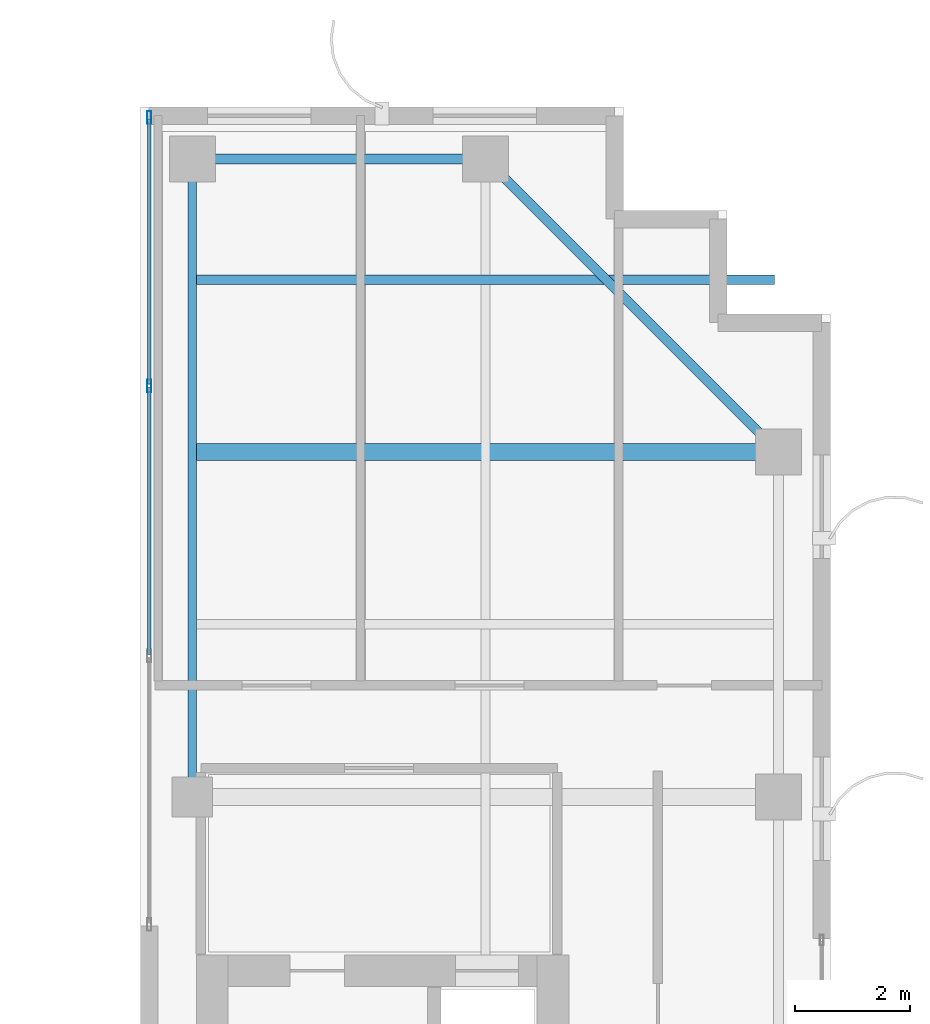
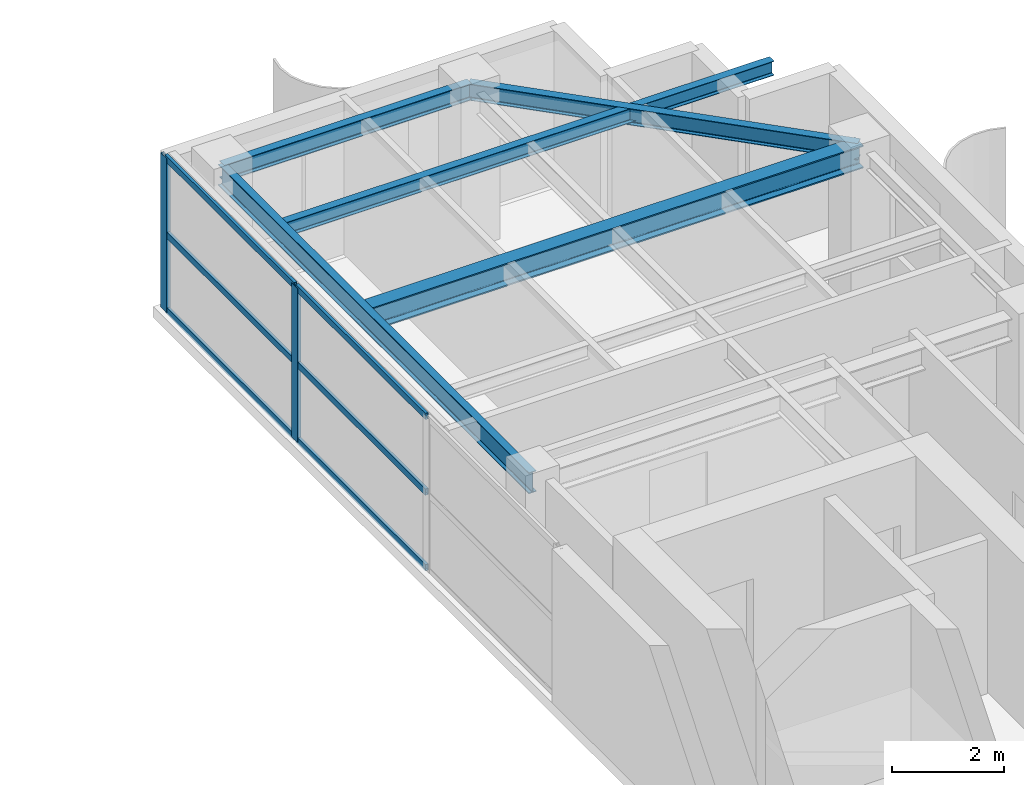
# One storey, part 16 of 24: 8 members, 5 beams, 1 element without a shape of its own.
"""IFC4 building model written with IfcOpenShell, lengths in metres."""

from ifc_helpers import new_model, si_unit, direction, frame, origin, origin_2d, place, context, subcontext, project, spatial, hollow_rectangle, i_section, extrude, source, transform, mapped, material, layer, layer_set, material_profile, profile_set, type_object, element, aggregate, save


model = new_model("IFC4")

# Units and contexts
model_context = context("Model", 3, precision=1e-05, world=origin(), true_north=direction((0.0, 1.0)))
body_context = subcontext(model_context, "Body", "Model", "MODEL_VIEW")
ifc_project = project(units=[si_unit("LENGTHUNIT", "METRE"), si_unit("AREAUNIT", "SQUARE_METRE"), si_unit("VOLUMEUNIT", "CUBIC_METRE"), si_unit("PLANEANGLEUNIT", "RADIAN"), si_unit("MASSUNIT", "GRAM", prefix="KILO")], contexts=[model_context])

# Site, building, storey
site_placement = place(None, origin())
site = spatial("IfcSite", under=ifc_project, at=site_placement, CompositionType="ELEMENT")
building_placement = place(site_placement, origin())
building = spatial("IfcBuilding", under=site, at=building_placement, Name="Khoralis Quay Care Tower", CompositionType="ELEMENT")
storey_placement = place(building_placement, frame((0.0, 0.0, 234.89990234375)))
storey = spatial("IfcBuildingStorey", under=building, at=storey_placement, Name="L61", CompositionType="ELEMENT", Elevation=234.89990234375)

# Beams
ifc_material_1 = material(Name="Steel S355", Category="steel")
ifc_material_profile_1 = material_profile(ifc_material_1, i_section(OverallWidth=0.169921875, OverallDepth=0.360107421875, WebThickness=0.008056640625, FlangeThickness=0.0126953125, FilletRadius=0.01806640625, at=origin_2d()), Name="Steel S355")
ifc_profile_set_1 = profile_set([ifc_material_profile_1], Name="Steel S355")
beam_type_1 = type_object("IfcBeamType", Name="BM-IPE360", PredefinedType="SPANDREL", material=ifc_profile_set_1)
shared_shape_1 = source(origin(), body_context, "Body", "SweptSolid", [
    extrude(i_section(OverallWidth=0.169921875, OverallDepth=0.360107421875, WebThickness=0.008056640625, FlangeThickness=0.0126953125, FilletRadius=0.01806640625, at=origin_2d()), origin(), (0.0, 0.0, 1.0), 5.10009765625),
])
beam_1_placement = place(storey_placement, frame((30.89990234375, 41.10009765625, 3.18017578125), z_axis=(1.0, 0.0, 0.0), x_axis=(0.0, 1.0, 0.0)))
element("IfcBeam", 1, at=beam_1_placement, inside=storey, type_object=beam_type_1, Name="BM-TSP-L61-04", PredefinedType="SPANDREL", context=body_context, shape_type="MappedRepresentation", body=[
    mapped(shared_shape_1, transform((0.0, 0.0, 0.0), scale=1.0)),
])
ifc_material_profile_2 = material_profile(ifc_material_1, i_section(OverallWidth=0.154052734375, OverallDepth=0.458984375, WebThickness=0.009033203125, FlangeThickness=0.015380859375, FilletRadius=0.014892578125, at=origin_2d()), Name="Steel S355")
ifc_profile_set_2 = profile_set([ifc_material_profile_2], Name="Steel S355")
beam_type_2 = type_object("IfcBeamType", Name="BM-W460X68", PredefinedType="BEAM", material=ifc_profile_set_2)
shared_shape_2 = source(origin(), body_context, "Body", "SweptSolid", [
    extrude(i_section(OverallWidth=0.154052734375, OverallDepth=0.458984375, WebThickness=0.009033203125, FlangeThickness=0.015380859375, FilletRadius=0.014892578125, at=origin_2d()), origin(), (0.0, 0.0, 1.0), 11.10009765625),
])
beam_2_placement = place(storey_placement, frame((30.89990234375, 30.0, 3.130615234375), z_axis=(0.0, 1.0, 0.0), x_axis=(-1.0, 0.0, 0.0)))
element("IfcBeam", 2, at=beam_2_placement, inside=storey, type_object=beam_type_2, Name="BM-TGYN-L61-309", PredefinedType="BEAM", context=body_context, shape_type="MappedRepresentation", body=[
    mapped(shared_shape_2, transform((0.0, 0.0, 0.0), scale=1.0)),
])
shared_shape_3 = source(origin(), body_context, "Body", "SweptSolid", [
    extrude(i_section(OverallWidth=0.169921875, OverallDepth=0.360107421875, WebThickness=0.008056640625, FlangeThickness=0.0126953125, FilletRadius=0.01806640625, at=origin_2d()), origin(), (0.0, 0.0, 1.0), 7.212646484375),
])
beam_3_placement = place(storey_placement, frame((36.0, 41.10009765625, 3.18017578125), z_axis=(0.707106781187, -0.707106781187, 0.0), x_axis=(0.707106781187, 0.707106781187, 0.0)))
element("IfcBeam", 3, at=beam_3_placement, inside=storey, type_object=beam_type_1, Name="BM-TCR-L61-16", PredefinedType="SPANDREL", context=body_context, shape_type="MappedRepresentation", body=[
    mapped(shared_shape_3, transform((0.0, 0.0, 0.0), scale=1.0)),
])
ifc_material_profile_3 = material_profile(ifc_material_1, i_section(OverallWidth=0.300048828125, OverallDepth=0.5, WebThickness=0.014404296875, FlangeThickness=0.028076171875, FilletRadius=0.027099609375, at=origin_2d()), Name="Steel S355")
ifc_profile_set_3 = profile_set([ifc_material_profile_3], Name="Steel S355")
beam_type_3 = type_object("IfcBeamType", Name="BM-HEB500", PredefinedType="BEAM", material=ifc_profile_set_3)
shared_shape_4 = source(origin(), body_context, "Body", "SweptSolid", [
    extrude(i_section(OverallWidth=0.300048828125, OverallDepth=0.5, WebThickness=0.014404296875, FlangeThickness=0.028076171875, FilletRadius=0.027099609375, at=origin_2d()), origin(), (0.0, 0.0, 1.0), 10.135009765625),
])
beam_4_placement = place(storey_placement, frame((30.965087890625, 36.0, 3.110107421875), z_axis=(1.0, 0.0, 0.0), x_axis=(0.0, 1.0, 0.0)))
element("IfcBeam", 4, at=beam_4_placement, inside=storey, type_object=beam_type_3, Name="BM-TGXE-L61-360", PredefinedType="BEAM", context=body_context, shape_type="MappedRepresentation", body=[
    mapped(shared_shape_4, transform((0.0, 0.0, 0.0), scale=1.0)),
])
ifc_material_profile_4 = material_profile(ifc_material_1, i_section(OverallWidth=0.1650390625, OverallDepth=0.31005859375, WebThickness=0.005859375, FlangeThickness=0.009765625, FilletRadius=0.011962890625, at=origin_2d()), Name="Steel S355")
ifc_profile_set_4 = profile_set([ifc_material_profile_4], Name="Steel S355")
beam_type_4 = type_object("IfcBeamType", Name="BM-W310X39", PredefinedType="JOIST", material=ifc_profile_set_4)
shared_shape_5 = source(origin(), body_context, "Body", "SweptSolid", [
    extrude(i_section(OverallWidth=0.1650390625, OverallDepth=0.31005859375, WebThickness=0.005859375, FlangeThickness=0.009765625, FilletRadius=0.011962890625, at=origin_2d()), origin(), (0.0, 0.0, 1.0), 10.06396484375),
])
beam_5_placement = place(storey_placement, frame((30.965087890625, 39.0, 3.205078125), z_axis=(1.0, 0.0, 0.0), x_axis=(0.0, 1.0, 0.0)))
element("IfcBeam", 5, at=beam_5_placement, inside=storey, type_object=beam_type_4, Name="BM-TJS-L61-22", PredefinedType="JOIST", context=body_context, shape_type="MappedRepresentation", body=[
    mapped(shared_shape_5, transform((0.0, 0.0, 0.0), scale=1.0)),
])

# Curtain wall, members
ifc_material_2 = material(Name="Pale anodised aluminium", Category="aluminium")
ifc_layer = layer(ifc_material_2, 0.18994140625)
ifc_layer_set = layer_set([ifc_layer], Name="Pale anodised aluminium")
curtain_wall_type = type_object("IfcCurtainWallType", Name="CW-SYS-PORTAL", PredefinedType="NOTDEFINED", material=ifc_layer_set)
curtain_wall_placement = place(storey_placement, origin())
curtain_wall = element("IfcCurtainWall", 6, at=curtain_wall_placement, inside=storey, type_object=curtain_wall_type, Name="L61 Unitised Curtain Wall CW-VP-L61-P2-N", PredefinedType="NOTDEFINED")
ifc_material_profile_5 = material_profile(ifc_material_2, hollow_rectangle(XDim=0.06005859375, YDim=0.139892578125, WallThickness=0.00390625, at=origin_2d()), Name="Pale anodised aluminium")
ifc_profile_set_5 = profile_set([ifc_material_profile_5], Name="Pale anodised aluminium")
member_type_1 = type_object("IfcMemberType", Name="CW-TRN-140", PredefinedType="USERDEFINED", material=ifc_profile_set_5)
shared_shape_6 = source(origin(), body_context, "Body", "SweptSolid", [
    extrude(hollow_rectangle(XDim=0.06005859375, YDim=0.139892578125, WallThickness=0.00390625, at=origin_2d()), origin(), (0.0, 0.0, 1.0), 4.610107421875),
])
member_1_placement = place(storey_placement, frame((30.14990234375, 37.179931640625, 0.030029296875), z_axis=(0.0, 1.0, 0.0), x_axis=(-1.0, 0.0, 0.0)))
member_1 = element("IfcMember", 7, at=member_1_placement, type_object=member_type_1, Name="CW4 transom 3.1", ObjectType="TRANSOM", PredefinedType="USERDEFINED", context=body_context, shape_type="MappedRepresentation", body=[
    mapped(shared_shape_6, transform((0.0, 0.0, 0.0), scale=1.0)),
])
member_2_placement = place(storey_placement, frame((30.14990234375, 37.179931640625, 1.68017578125), z_axis=(0.0, 1.0, 0.0), x_axis=(-1.0, 0.0, 0.0)))
member_2 = element("IfcMember", 8, at=member_2_placement, type_object=member_type_1, Name="CW4 transom 3.2", ObjectType="TRANSOM", PredefinedType="USERDEFINED", context=body_context, shape_type="MappedRepresentation", body=[
    mapped(shared_shape_6, transform((0.0, 0.0, 0.0), scale=1.0)),
])
member_3_placement = place(storey_placement, frame((30.14990234375, 37.179931640625, 3.330078125), z_axis=(0.0, 1.0, 0.0), x_axis=(-1.0, 0.0, 0.0)))
member_3 = element("IfcMember", 9, at=member_3_placement, type_object=member_type_1, Name="CW4 transom 3.3", ObjectType="TRANSOM", PredefinedType="USERDEFINED", context=body_context, shape_type="MappedRepresentation", body=[
    mapped(shared_shape_6, transform((0.0, 0.0, 0.0), scale=1.0)),
])
shared_shape_7 = source(origin(), body_context, "Body", "SweptSolid", [
    extrude(hollow_rectangle(XDim=0.06005859375, YDim=0.139892578125, WallThickness=0.00390625, at=origin_2d()), origin(), (0.0, 0.0, 1.0), 4.64013671875),
])
member_4_placement = place(storey_placement, frame((30.14990234375, 32.47998046875, 0.030029296875), z_axis=(0.0, 1.0, 0.0), x_axis=(-1.0, 0.0, 0.0)))
member_4 = element("IfcMember", 10, at=member_4_placement, type_object=member_type_1, Name="CW4 transom 2.1", ObjectType="TRANSOM", PredefinedType="USERDEFINED", context=body_context, shape_type="MappedRepresentation", body=[
    mapped(shared_shape_7, transform((0.0, 0.0, 0.0), scale=1.0)),
])
member_5_placement = place(storey_placement, frame((30.14990234375, 32.47998046875, 1.68017578125), z_axis=(0.0, 1.0, 0.0), x_axis=(-1.0, 0.0, 0.0)))
member_5 = element("IfcMember", 11, at=member_5_placement, type_object=member_type_1, Name="CW4 transom 2.2", ObjectType="TRANSOM", PredefinedType="USERDEFINED", context=body_context, shape_type="MappedRepresentation", body=[
    mapped(shared_shape_7, transform((0.0, 0.0, 0.0), scale=1.0)),
])
member_6_placement = place(storey_placement, frame((30.14990234375, 32.47998046875, 3.330078125), z_axis=(0.0, 1.0, 0.0), x_axis=(-1.0, 0.0, 0.0)))
member_6 = element("IfcMember", 12, at=member_6_placement, type_object=member_type_1, Name="CW4 transom 2.3", ObjectType="TRANSOM", PredefinedType="USERDEFINED", context=body_context, shape_type="MappedRepresentation", body=[
    mapped(shared_shape_7, transform((0.0, 0.0, 0.0), scale=1.0)),
])
ifc_material_profile_6 = material_profile(ifc_material_2, hollow_rectangle(XDim=0.074951171875, YDim=0.219970703125, WallThickness=0.00390625, at=origin_2d()), Name="Pale anodised aluminium")
ifc_profile_set_6 = profile_set([ifc_material_profile_6], Name="Pale anodised aluminium")
member_type_2 = type_object("IfcMemberType", Name="CW-MUL-220", PredefinedType="MULLION", material=ifc_profile_set_6)
shared_shape_8 = source(origin(), body_context, "Body", "SweptSolid", [
    extrude(hollow_rectangle(XDim=0.074951171875, YDim=0.219970703125, WallThickness=0.00390625, at=origin_2d()), origin(), (0.0, 0.0, 1.0), 3.360107421875),
])
member_7_placement = place(storey_placement, frame((30.14990234375, 37.14990234375, 0.0), z_axis=(0.0, 0.0, 1.0), x_axis=(-1.0, 0.0, 0.0)))
member_7 = element("IfcMember", 13, at=member_7_placement, type_object=member_type_2, Name="CW4 mullion 3", PredefinedType="MULLION", context=body_context, shape_type="MappedRepresentation", body=[
    mapped(shared_shape_8, transform((0.0, 0.0, 0.0), scale=1.0)),
])
member_8_placement = place(storey_placement, frame((30.14990234375, 41.820068359375, 0.0), z_axis=(0.0, 0.0, 1.0), x_axis=(-1.0, 0.0, 0.0)))
member_8 = element("IfcMember", 14, at=member_8_placement, type_object=member_type_2, Name="CW4 mullion 4", PredefinedType="MULLION", context=body_context, shape_type="MappedRepresentation", body=[
    mapped(shared_shape_8, transform((0.0, 0.0, 0.0), scale=1.0)),
])
aggregate(curtain_wall, [member_7, member_8, member_4, member_5, member_6, member_1, member_2, member_3])

save(model, "model.ifc")
